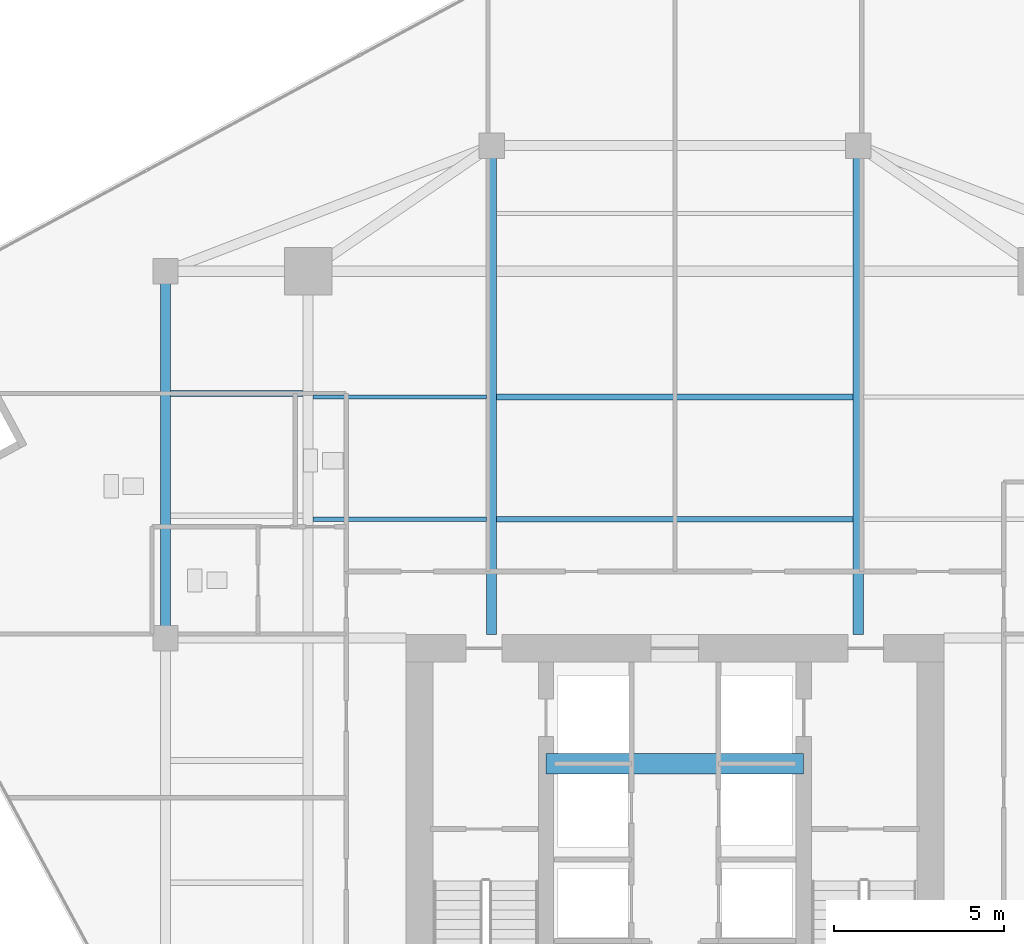
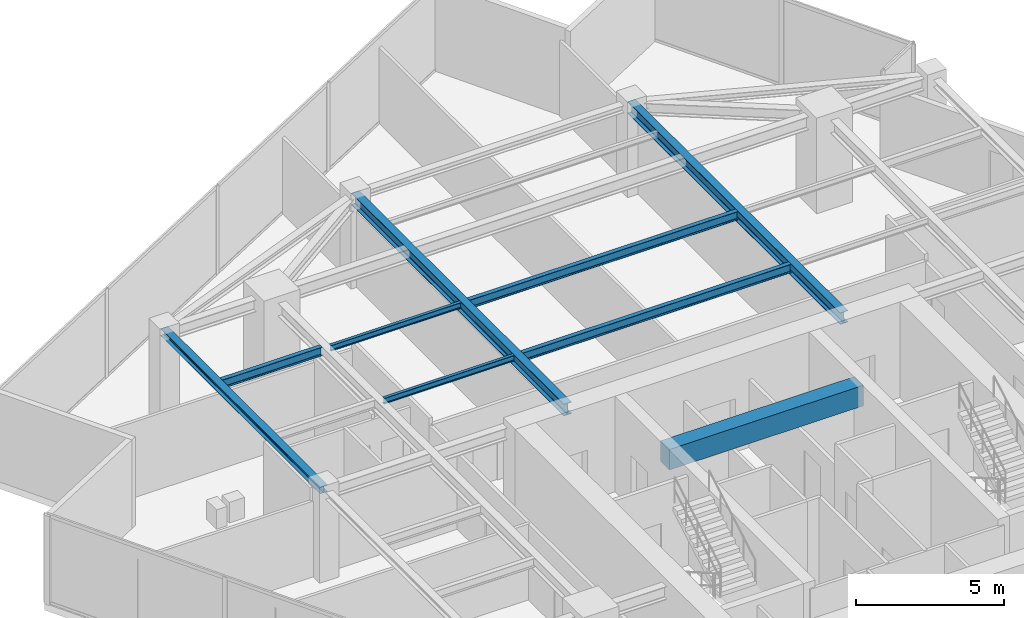
# One storey, part 7 of 22: 9 beams.
"""IFC4 building model written with IfcOpenShell, lengths in metres."""

from ifc_helpers import new_model, si_unit, direction, frame, origin, origin_2d, place, context, subcontext, project, spatial, rectangle, i_section, extrude, source, transform, mapped, material, material_profile, profile_set, type_object, type_shapes, element, save


model = new_model("IFC4")

# Units and contexts
model_context = context("Model", 3, precision=1e-05, world=origin(), true_north=direction((0.0, 1.0)))
body_context = subcontext(model_context, "Body", "Model", "MODEL_VIEW")
ifc_project = project(units=[si_unit("LENGTHUNIT", "METRE"), si_unit("AREAUNIT", "SQUARE_METRE"), si_unit("VOLUMEUNIT", "CUBIC_METRE"), si_unit("PLANEANGLEUNIT", "RADIAN"), si_unit("MASSUNIT", "GRAM", prefix="KILO")], contexts=[model_context])

# Site, building, storey
site_placement = place(None, origin())
site = spatial("IfcSite", under=ifc_project, at=site_placement, CompositionType="ELEMENT")
building_placement = place(site_placement, origin())
building = spatial("IfcBuilding", under=site, at=building_placement, Name="Krantzveldt Concourse Tower", CompositionType="ELEMENT")
storey_placement = place(building_placement, frame((0.0, 0.0, 302.949951171875)))
storey = spatial("IfcBuildingStorey", under=building, at=storey_placement, Name="L74", CompositionType="ELEMENT", Elevation=302.949951171875)

# Beams
ifc_material_1 = material(Name="Steel S355JR", Category="steel")
ifc_material_profile_1 = material_profile(ifc_material_1, i_section(OverallWidth=0.169921875, OverallDepth=0.360107421875, WebThickness=0.008056640625, FlangeThickness=0.0126953125, FilletRadius=0.01806640625, at=origin_2d()), Name="Steel S355JR", Category="steel")
ifc_profile_set_1 = profile_set([ifc_material_profile_1], Name="Steel S355JR - IPE 360")
beam_type_1 = type_object("IfcBeamType", Name="BM-J-IPE360", PredefinedType="JOIST", material=ifc_profile_set_1)
shared_shape_1 = source(origin(), body_context, "Body", "SweptSolid", [
    extrude(i_section(OverallWidth=0.169921875, OverallDepth=0.360107421875, WebThickness=0.008056640625, FlangeThickness=0.0126953125, FilletRadius=0.01806640625, at=origin_2d()), origin(), (0.0, 0.0, 1.0), 10.5),
])
for number, where, z_axis, x_axis, name in (
    (1, (30.75, 30.199951171875, 3.489990234375), (1.0, 0.0, 0.0), (0.0, 1.0, 0.0), "L74 Secondary Floor Joist JN-C1"),
    (2, (30.75, 33.800048828125, 3.489990234375), (1.0, 0.0, 0.0), (0.0, 1.0, 0.0), "L74 Secondary Floor Joist JN-C2"),
):
    element("IfcBeam", number, at=place(storey_placement, frame(where, z_axis=z_axis, x_axis=x_axis)), inside=storey, type_object=beam_type_1, Name=name, PredefinedType="JOIST", context=body_context, shape_type="MappedRepresentation", body=[
        mapped(shared_shape_1, transform((0.0, 0.0, 0.0), x_axis=(1.0, 0.0, 0.0), y_axis=(0.0, 1.0, 0.0), z_axis=(0.0, 0.0, 1.0), scale=1.0)),
    ])
ifc_material_profile_2 = material_profile(ifc_material_1, i_section(OverallWidth=0.300048828125, OverallDepth=0.489990234375, WebThickness=0.011962890625, FlangeThickness=0.02294921875, FilletRadius=0.027099609375, at=origin_2d()), Name="Steel S355JR", Category="steel")
ifc_profile_set_2 = profile_set([ifc_material_profile_2], Name="Steel S355JR - HEA 500")
beam_type_2 = type_object("IfcBeamType", Name="BM-B-HEA500", PredefinedType="BEAM", material=ifc_profile_set_2)
shared_shape_2 = source(origin(), body_context, "Body", "SweptSolid", [
    extrude(i_section(OverallWidth=0.300048828125, OverallDepth=0.489990234375, WebThickness=0.011962890625, FlangeThickness=0.02294921875, FilletRadius=0.027099609375, at=origin_2d()), origin(), (0.0, 0.0, 1.0), 14.39990234375),
])
type_shapes(beam_type_2, [shared_shape_2])
for number, where, z_axis, x_axis, name in (
    (3, (30.60009765625, 26.800048828125, 3.425048828125), (0.0, 1.0, 0.0), (-1.0, 0.0, 0.0), "L74 Tower Girder BG-CNW"),
    (4, (41.39990234375, 26.800048828125, 3.425048828125), (0.0, 1.0, 0.0), (-1.0, 0.0, 0.0), "L74 Tower Girder BG-CNE"),
):
    element("IfcBeam", number, at=place(storey_placement, frame(where, z_axis=z_axis, x_axis=x_axis)), inside=storey, type_object=beam_type_2, Name=name, PredefinedType="BEAM", context=body_context, shape_type="MappedRepresentation", body=[
        mapped(shared_shape_2, transform((0.0, 0.0, 0.0), x_axis=(1.0, 0.0, 0.0), y_axis=(0.0, 1.0, 0.0), z_axis=(0.0, 0.0, 1.0), scale=1.0)),
    ])
ifc_material_2 = material(Name="Concrete C50/60", Category="concrete")
ifc_material_profile_3 = material_profile(ifc_material_2, rectangle(XDim=0.60009765625, YDim=0.85009765625, at=origin_2d()), Name="Concrete C50/60", Category="concrete")
ifc_profile_set_3 = profile_set([ifc_material_profile_3], Name="Concrete C50/60 - RC-CB 600x850")
beam_type_3 = type_object("IfcBeamType", Name="BM-CB-850", PredefinedType="LINTEL", material=ifc_profile_set_3)
shared_shape_3 = source(origin(), body_context, "Body", "SweptSolid", [
    extrude(rectangle(XDim=0.60009765625, YDim=0.85009765625, at=origin_2d()), origin(), (0.0, 0.0, 1.0), 7.580078125),
])
type_shapes(beam_type_3, [shared_shape_3])
beam_1_placement = place(storey_placement, frame((32.2099609375, 23.0, 3.2451171875), z_axis=(1.0, 0.0, 0.0), x_axis=(0.0, 1.0, 0.0)))
element("IfcBeam", 5, at=beam_1_placement, inside=storey, type_object=beam_type_3, Name="CB-L74-01", PredefinedType="LINTEL", context=body_context, shape_type="MappedRepresentation", body=[
    mapped(shared_shape_3, transform((0.0, 0.0, 0.0), x_axis=(1.0, 0.0, 0.0), y_axis=(0.0, 1.0, 0.0), z_axis=(0.0, 0.0, 1.0), scale=1.0)),
])
ifc_material_profile_4 = material_profile(ifc_material_1, i_section(OverallWidth=0.2900390625, OverallDepth=0.2900390625, WebThickness=0.008544921875, FlangeThickness=0.013916015625, FilletRadius=0.027099609375, at=origin_2d()), Name="Steel S355JR", Category="steel")
ifc_profile_set_4 = profile_set([ifc_material_profile_4], Name="Steel S355JR - HEA 300")
beam_type_4 = type_object("IfcBeamType", Name="BM-SP-HEA300", PredefinedType="SPANDREL", material=ifc_profile_set_4)
shared_shape_4 = source(origin(), body_context, "Body", "SweptSolid", [
    extrude(i_section(OverallWidth=0.2900390625, OverallDepth=0.2900390625, WebThickness=0.008544921875, FlangeThickness=0.013916015625, FilletRadius=0.027099609375, at=origin_2d()), origin(), (0.0, 0.0, 1.0), 10.800048828125),
])
type_shapes(beam_type_4, [shared_shape_4])
beam_2_placement = place(storey_placement, frame((21.0, 26.699951171875, 3.525146484375), z_axis=(0.0, 1.0, 0.0), x_axis=(-1.0, 0.0, 0.0)))
element("IfcBeam", 6, at=beam_2_placement, inside=storey, type_object=beam_type_4, Name="L74 Tower Girder SP-R02", PredefinedType="SPANDREL", context=body_context, shape_type="MappedRepresentation", body=[
    mapped(shared_shape_4, transform((0.0, 0.0, 0.0), x_axis=(1.0, 0.0, 0.0), y_axis=(0.0, 1.0, 0.0), z_axis=(0.0, 0.0, 1.0), scale=1.0)),
])
ifc_material_profile_5 = material_profile(ifc_material_1, i_section(OverallWidth=0.1201171875, OverallDepth=0.239990234375, WebThickness=0.006103515625, FlangeThickness=0.009765625, FilletRadius=0.014892578125, at=origin_2d()), Name="Steel S355JR", Category="steel")
ifc_profile_set_5 = profile_set([ifc_material_profile_5], Name="Steel S355JR - IPE 240")
beam_type_5 = type_object("IfcBeamType", Name="BM-LN-IPE240", PredefinedType="LINTEL", material=ifc_profile_set_5)
shared_shape_5 = source(origin(), body_context, "Body", "SweptSolid", [
    extrude(i_section(OverallWidth=0.1201171875, OverallDepth=0.239990234375, WebThickness=0.006103515625, FlangeThickness=0.009765625, FilletRadius=0.014892578125, at=origin_2d()), origin(), (0.0, 0.0, 1.0), 5.099853515625),
])
type_shapes(beam_type_5, [shared_shape_5])
for number, where, z_axis, x_axis, name in (
    (7, (25.35009765625, 30.199951171875, 3.550048828125), (1.0, 0.0, 0.0), (0.0, 1.0, 0.0), "L74 Secondary Floor Joist JN-W1"),
    (8, (25.35009765625, 33.800048828125, 3.550048828125), (1.0, 0.0, 0.0), (0.0, 1.0, 0.0), "L74 Secondary Floor Joist JN-W2"),
):
    element("IfcBeam", number, at=place(storey_placement, frame(where, z_axis=z_axis, x_axis=x_axis)), inside=storey, type_object=beam_type_5, Name=name, PredefinedType="LINTEL", context=body_context, shape_type="MappedRepresentation", body=[
        mapped(shared_shape_5, transform((0.0, 0.0, 0.0), x_axis=(1.0, 0.0, 0.0), y_axis=(0.0, 1.0, 0.0), z_axis=(0.0, 0.0, 1.0), scale=1.0)),
    ])
shared_shape_6 = source(origin(), body_context, "Body", "SweptSolid", [
    extrude(i_section(OverallWidth=0.169921875, OverallDepth=0.360107421875, WebThickness=0.008056640625, FlangeThickness=0.0126953125, FilletRadius=0.01806640625, at=origin_2d()), origin(), (0.0, 0.0, 1.0), 3.900146484375),
])
type_shapes(beam_type_1, [shared_shape_1, shared_shape_6])
beam_3_placement = place(storey_placement, frame((21.14990234375, 33.89990234375, 3.489990234375), z_axis=(1.0, 0.0, 0.0), x_axis=(0.0, 1.0, 0.0)))
element("IfcBeam", 9, at=beam_3_placement, inside=storey, type_object=beam_type_1, Name="L74 Secondary Floor Joist JW-4", PredefinedType="JOIST", context=body_context, shape_type="MappedRepresentation", body=[
    mapped(shared_shape_6, transform((0.0, 0.0, 0.0), x_axis=(1.0, 0.0, 0.0), y_axis=(0.0, 1.0, 0.0), z_axis=(0.0, 0.0, 1.0), scale=1.0)),
])

save(model, "model.ifc")
